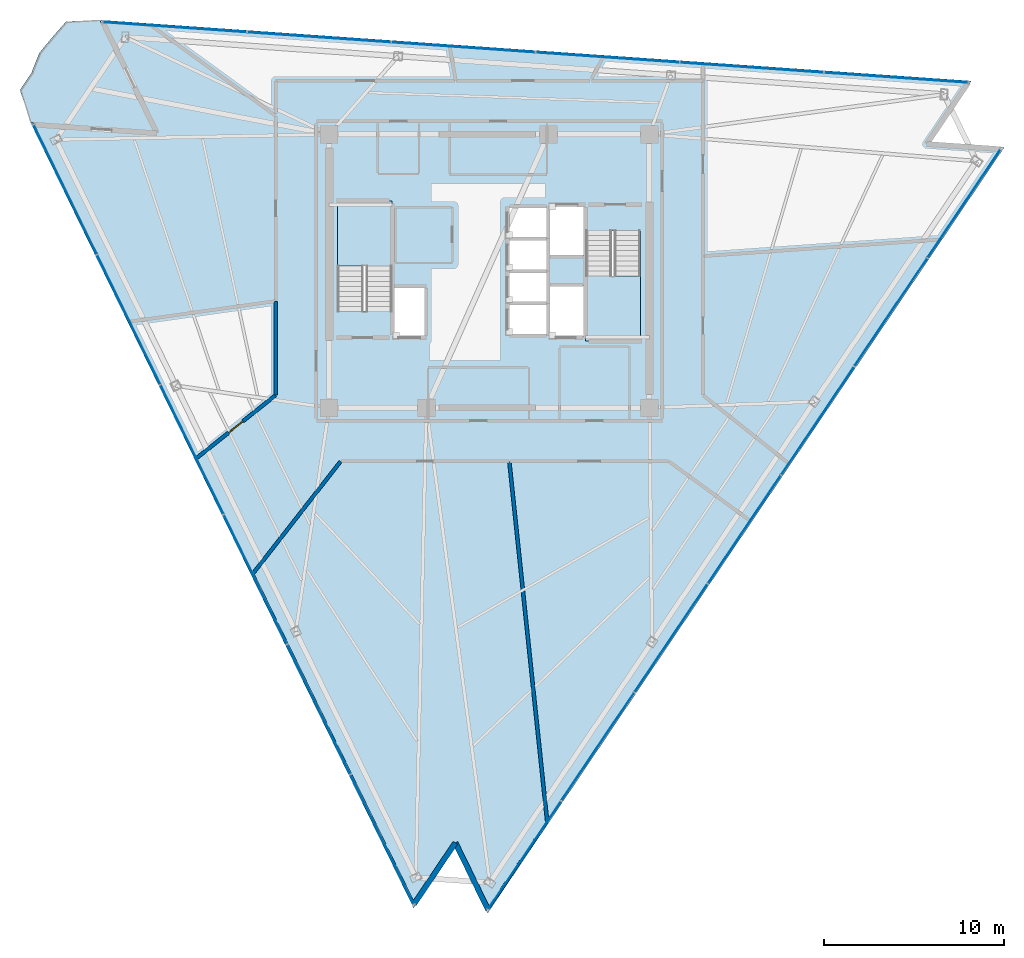
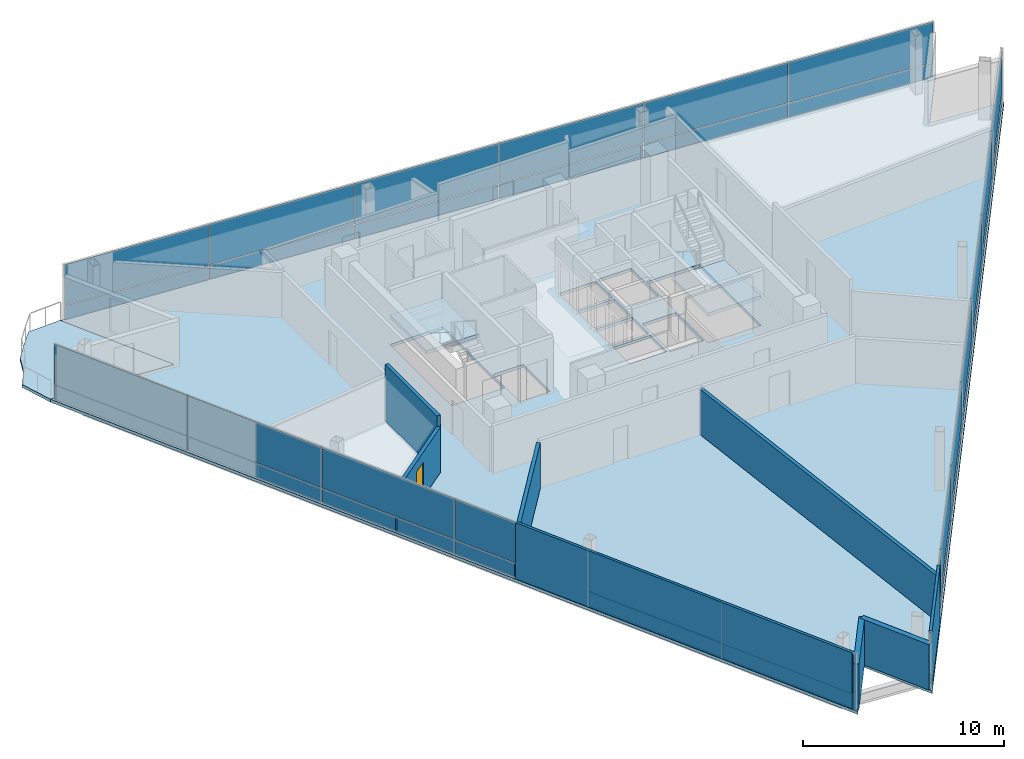
# One storey, part 8 of 14: 38 plates, 8 walls, 4 slabs, 1 door, 1 opening, 5 elements without a shape of their own.
"""IFC4 building model written with IfcOpenShell, lengths in metres."""

from ifc_helpers import new_model, si_unit, direction, frame, frame_2d, origin, origin_2d, place, context, subcontext, project, spatial, polyline, rectangle, outline, extrude, material, layer, layer_set, type_object, element, fill, aggregate, save


model = new_model("IFC4")

# Units and contexts
model_context = context("Model", 3, precision=1e-05, world=origin(), true_north=direction((0.0, 1.0)))
body_context = subcontext(model_context, "Body", "Model", "MODEL_VIEW")
ifc_project = project(units=[si_unit("LENGTHUNIT", "METRE"), si_unit("AREAUNIT", "SQUARE_METRE"), si_unit("VOLUMEUNIT", "CUBIC_METRE"), si_unit("PLANEANGLEUNIT", "RADIAN"), si_unit("MASSUNIT", "GRAM", prefix="KILO")], contexts=[model_context])

# Site, building, storey
site_placement = place(None, origin())
site = spatial("IfcSite", under=ifc_project, at=site_placement, CompositionType="ELEMENT")
building_placement = place(site_placement, origin())
building = spatial("IfcBuilding", under=site, at=building_placement, Name="Tharavind Bronze Gate", CompositionType="ELEMENT")
storey_placement = place(building_placement, frame((0.0, 0.0, 245.050048828125)))
storey = spatial("IfcBuildingStorey", under=building, at=storey_placement, Name="L63", CompositionType="ELEMENT", Elevation=245.050048828125)

# Curtain wall, plates
ifc_material_1 = material(Name="Anodised Bronze Aluminium", Category="aluminium")
ifc_layer_1 = layer(ifc_material_1, 0.219970703125)
ifc_layer_set_1 = layer_set([ifc_layer_1], Name="Anodised Bronze Aluminium")
curtain_wall_type = type_object("IfcCurtainWallType", Name="UNITISED CURTAIN WALL UPPER OFFICE", PredefinedType="USERDEFINED", material=ifc_layer_set_1)
curtain_wall_1_placement = place(storey_placement, origin())
curtain_wall_1 = element("IfcCurtainWall", 1, at=curtain_wall_1_placement, inside=storey, type_object=curtain_wall_type, Name="L63 unitised curtain wall upper office CW-L63-S1", ObjectType="UNITISED CURTAIN WALL", PredefinedType="USERDEFINED")
ifc_material_2 = material(Name="Patinated Bronze Alloy Sheet", Category="bronze")
ifc_layer_2 = layer(ifc_material_2, 0.01611328125)
ifc_layer_set_2 = layer_set([ifc_layer_2], Name="Patinated Bronze Alloy Sheet")
plate_type_1 = type_object("IfcPlateType", Name="BRONZE SPANDREL CLADDING PANEL 16", PredefinedType="CURTAIN_PANEL", material=ifc_layer_set_2)
plate_1_placement = place(storey_placement, frame((-23.5751953125, 4.5283203125, 0.0263671875), z_axis=(0.0, 0.0, 1.0), x_axis=(0.438371146789, -0.898794046299, 0.0)))
plate_1 = element("IfcPlate", 2, at=plate_1_placement, type_object=plate_type_1, Name="CW-L63-S1 bronze spandrel panel 1", PredefinedType="CURTAIN_PANEL", context=body_context, shape_type="SweptSolid", body=[
    extrude(rectangle(XDim=7.985107421875, YDim=0.01611328125, at=origin_2d()), origin(), (0.0, 0.0, 1.0), 0.846923828125),
])
plate_2_placement = place(storey_placement, frame((-20.051513671875, -2.696044921875, 0.0263671875), z_axis=(0.0, 0.0, 1.0), x_axis=(0.438371146789, -0.898794046299, 0.0)))
plate_2 = element("IfcPlate", 3, at=plate_2_placement, type_object=plate_type_1, Name="CW-L63-S1 bronze spandrel panel 2", PredefinedType="CURTAIN_PANEL", context=body_context, shape_type="SweptSolid", body=[
    extrude(rectangle(XDim=7.985107421875, YDim=0.01611328125, at=origin_2d()), origin(), (0.0, 0.0, 1.0), 0.846923828125),
])
plate_3_placement = place(storey_placement, frame((-16.528076171875, -9.920654296875, 0.0263671875), z_axis=(0.0, 0.0, 1.0), x_axis=(0.438371146789, -0.898794046299, 0.0)))
plate_3 = element("IfcPlate", 4, at=plate_3_placement, type_object=plate_type_1, Name="CW-L63-S1 bronze spandrel panel 3", PredefinedType="CURTAIN_PANEL", context=body_context, shape_type="SweptSolid", body=[
    extrude(rectangle(XDim=7.985107421875, YDim=0.01611328125, at=origin_2d()), origin(), (0.0, 0.0, 1.0), 0.846923828125),
])
plate_4_placement = place(storey_placement, frame((-13.00439453125, -17.145263671875, 0.0263671875), z_axis=(0.0, 0.0, 1.0), x_axis=(0.438371146789, -0.898794046299, 0.0)))
plate_4 = element("IfcPlate", 5, at=plate_4_placement, type_object=plate_type_1, Name="CW-L63-S1 bronze spandrel panel 4", PredefinedType="CURTAIN_PANEL", context=body_context, shape_type="SweptSolid", body=[
    extrude(rectangle(XDim=7.985107421875, YDim=0.01611328125, at=origin_2d()), origin(), (0.0, 0.0, 1.0), 0.846923828125),
])
plate_5_placement = place(storey_placement, frame((-9.480712890625, -24.36962890625, 0.0263671875), z_axis=(0.0, 0.0, 1.0), x_axis=(0.438371146789, -0.898794046299, 0.0)))
plate_5 = element("IfcPlate", 6, at=plate_5_placement, type_object=plate_type_1, Name="CW-L63-S1 bronze spandrel panel 5", PredefinedType="CURTAIN_PANEL", context=body_context, shape_type="SweptSolid", body=[
    extrude(rectangle(XDim=7.985107421875, YDim=0.01611328125, at=origin_2d()), origin(), (0.0, 0.0, 1.0), 0.846923828125),
])
plate_6_placement = place(storey_placement, frame((-5.95703125, -31.59423828125, 0.0263671875), z_axis=(0.0, 0.0, 1.0), x_axis=(0.438371146789, -0.898794046299, 0.0)))
plate_6 = element("IfcPlate", 7, at=plate_6_placement, type_object=plate_type_1, Name="CW-L63-S1 bronze spandrel panel 6", PredefinedType="CURTAIN_PANEL", context=body_context, shape_type="SweptSolid", body=[
    extrude(rectangle(XDim=7.985107421875, YDim=0.01611328125, at=origin_2d()), origin(), (0.0, 0.0, 1.0), 0.846923828125),
])

curtain_wall_2_placement = place(storey_placement, origin())
curtain_wall_2 = element("IfcCurtainWall", 8, at=curtain_wall_2_placement, inside=storey, type_object=curtain_wall_type, Name="L63 unitised curtain wall upper office CW-L63-S2", ObjectType="UNITISED CURTAIN WALL", PredefinedType="USERDEFINED")
plate_7_placement = place(storey_placement, frame((1.958984375, -32.4755859375, 0.0263671875), z_axis=(0.0, 0.0, 1.0), x_axis=(0.559192903471, 0.829037572555, 0.0)))
plate_7 = element("IfcPlate", 9, at=plate_7_placement, type_object=plate_type_1, Name="CW-L63-S2 bronze spandrel panel 1", PredefinedType="CURTAIN_PANEL", context=body_context, shape_type="SweptSolid", body=[
    extrude(rectangle(XDim=7.22998046875, YDim=0.01611328125, at=origin_2d()), origin(), (0.0, 0.0, 1.0), 0.846923828125),
])
plate_8_placement = place(storey_placement, frame((6.031494140625, -26.437744140625, 0.0263671875), z_axis=(0.0, 0.0, 1.0), x_axis=(0.559192903471, 0.829037572555, 0.0)))
plate_8 = element("IfcPlate", 10, at=plate_8_placement, type_object=plate_type_1, Name="CW-L63-S2 bronze spandrel panel 2", PredefinedType="CURTAIN_PANEL", context=body_context, shape_type="SweptSolid", body=[
    extrude(rectangle(XDim=7.22998046875, YDim=0.01611328125, at=origin_2d()), origin(), (0.0, 0.0, 1.0), 0.846923828125),
])
plate_9_placement = place(storey_placement, frame((10.10400390625, -20.39990234375, 0.0263671875), z_axis=(0.0, 0.0, 1.0), x_axis=(0.559192903471, 0.829037572555, 0.0)))
plate_9 = element("IfcPlate", 11, at=plate_9_placement, type_object=plate_type_1, Name="CW-L63-S2 bronze spandrel panel 3", PredefinedType="CURTAIN_PANEL", context=body_context, shape_type="SweptSolid", body=[
    extrude(rectangle(XDim=7.22998046875, YDim=0.01611328125, at=origin_2d()), origin(), (0.0, 0.0, 1.0), 0.846923828125),
])
plate_10_placement = place(storey_placement, frame((14.176513671875, -14.3623046875, 0.0263671875), z_axis=(0.0, 0.0, 1.0), x_axis=(0.559192903471, 0.829037572555, 0.0)))
plate_10 = element("IfcPlate", 12, at=plate_10_placement, type_object=plate_type_1, Name="CW-L63-S2 bronze spandrel panel 4", PredefinedType="CURTAIN_PANEL", context=body_context, shape_type="SweptSolid", body=[
    extrude(rectangle(XDim=7.22998046875, YDim=0.01611328125, at=origin_2d()), origin(), (0.0, 0.0, 1.0), 0.846923828125),
])
plate_11_placement = place(storey_placement, frame((18.2490234375, -8.324462890625, 0.0263671875), z_axis=(0.0, 0.0, 1.0), x_axis=(0.559192903471, 0.829037572555, 0.0)))
plate_11 = element("IfcPlate", 13, at=plate_11_placement, type_object=plate_type_1, Name="CW-L63-S2 bronze spandrel panel 5", PredefinedType="CURTAIN_PANEL", context=body_context, shape_type="SweptSolid", body=[
    extrude(rectangle(XDim=7.22998046875, YDim=0.01611328125, at=origin_2d()), origin(), (0.0, 0.0, 1.0), 0.846923828125),
])
plate_12_placement = place(storey_placement, frame((22.321533203125, -2.28662109375, 0.0263671875), z_axis=(0.0, 0.0, 1.0), x_axis=(0.559192903471, 0.829037572555, 0.0)))
plate_12 = element("IfcPlate", 14, at=plate_12_placement, type_object=plate_type_1, Name="CW-L63-S2 bronze spandrel panel 6", PredefinedType="CURTAIN_PANEL", context=body_context, shape_type="SweptSolid", body=[
    extrude(rectangle(XDim=7.22998046875, YDim=0.01611328125, at=origin_2d()), origin(), (0.0, 0.0, 1.0), 0.846923828125),
])
plate_13_placement = place(storey_placement, frame((26.39404296875, 3.751220703125, 0.0263671875), z_axis=(0.0, 0.0, 1.0), x_axis=(0.559192903471, 0.829037572555, 0.0)))
plate_13 = element("IfcPlate", 15, at=plate_13_placement, type_object=plate_type_1, Name="CW-L63-S2 bronze spandrel panel 7", PredefinedType="CURTAIN_PANEL", context=body_context, shape_type="SweptSolid", body=[
    extrude(rectangle(XDim=7.22998046875, YDim=0.01611328125, at=origin_2d()), origin(), (0.0, 0.0, 1.0), 0.846923828125),
])

curtain_wall_3_placement = place(storey_placement, origin())
curtain_wall_3 = element("IfcCurtainWall", 16, at=curtain_wall_3_placement, inside=storey, type_object=curtain_wall_type, Name="L63 unitised curtain wall upper office CW-L63-S3", ObjectType="UNITISED CURTAIN WALL", PredefinedType="USERDEFINED")
plate_14_placement = place(storey_placement, frame((22.611572265625, 10.760498046875, 0.0263671875), z_axis=(0.0, 0.0, 1.0), x_axis=(-0.99756392851, 0.069758214822, 0.0)))
plate_14 = element("IfcPlate", 17, at=plate_14_placement, type_object=plate_type_1, Name="CW-L63-S3 bronze spandrel panel 1", PredefinedType="CURTAIN_PANEL", context=body_context, shape_type="SweptSolid", body=[
    extrude(rectangle(XDim=7.985107421875, YDim=0.01611328125, at=origin_2d()), origin(), (0.0, 0.0, 1.0), 0.846923828125),
])
plate_15_placement = place(storey_placement, frame((14.593017578125, 11.3212890625, 0.0263671875), z_axis=(0.0, 0.0, 1.0), x_axis=(-0.99756392851, 0.069758214822, 0.0)))
plate_15 = element("IfcPlate", 18, at=plate_15_placement, type_object=plate_type_1, Name="CW-L63-S3 bronze spandrel panel 2", PredefinedType="CURTAIN_PANEL", context=body_context, shape_type="SweptSolid", body=[
    extrude(rectangle(XDim=7.985107421875, YDim=0.01611328125, at=origin_2d()), origin(), (0.0, 0.0, 1.0), 0.846923828125),
])
plate_16_placement = place(storey_placement, frame((6.57470703125, 11.882080078125, 0.0263671875), z_axis=(0.0, 0.0, 1.0), x_axis=(-0.99756392851, 0.069758214822, 0.0)))
plate_16 = element("IfcPlate", 19, at=plate_16_placement, type_object=plate_type_1, Name="CW-L63-S3 bronze spandrel panel 3", PredefinedType="CURTAIN_PANEL", context=body_context, shape_type="SweptSolid", body=[
    extrude(rectangle(XDim=7.985107421875, YDim=0.01611328125, at=origin_2d()), origin(), (0.0, 0.0, 1.0), 0.846923828125),
])
plate_17_placement = place(storey_placement, frame((-1.44384765625, 12.442626953125, 0.0263671875), z_axis=(0.0, 0.0, 1.0), x_axis=(-0.99756392851, 0.069758214822, 0.0)))
plate_17 = element("IfcPlate", 20, at=plate_17_placement, type_object=plate_type_1, Name="CW-L63-S3 bronze spandrel panel 4", PredefinedType="CURTAIN_PANEL", context=body_context, shape_type="SweptSolid", body=[
    extrude(rectangle(XDim=7.985107421875, YDim=0.01611328125, at=origin_2d()), origin(), (0.0, 0.0, 1.0), 0.846923828125),
])
plate_18_placement = place(storey_placement, frame((-9.462158203125, 13.00341796875, 0.0263671875), z_axis=(0.0, 0.0, 1.0), x_axis=(-0.99756392851, 0.069758214822, 0.0)))
plate_18 = element("IfcPlate", 21, at=plate_18_placement, type_object=plate_type_1, Name="CW-L63-S3 bronze spandrel panel 5", PredefinedType="CURTAIN_PANEL", context=body_context, shape_type="SweptSolid", body=[
    extrude(rectangle(XDim=7.985107421875, YDim=0.01611328125, at=origin_2d()), origin(), (0.0, 0.0, 1.0), 0.846923828125),
])
plate_19_placement = place(storey_placement, frame((-17.480712890625, 13.564208984375, 0.0263671875), z_axis=(0.0, 0.0, 1.0), x_axis=(-0.99756392851, 0.069758214822, 0.0)))
plate_19 = element("IfcPlate", 22, at=plate_19_placement, type_object=plate_type_1, Name="CW-L63-S3 bronze spandrel panel 6", PredefinedType="CURTAIN_PANEL", context=body_context, shape_type="SweptSolid", body=[
    extrude(rectangle(XDim=7.985107421875, YDim=0.01611328125, at=origin_2d()), origin(), (0.0, 0.0, 1.0), 0.846923828125),
])

# Slab
ifc_material_3 = material(Name="Concrete C40/50", Category="concrete")
ifc_layer_3 = layer(ifc_material_3, 0.179931640625)
ifc_layer_set_3 = layer_set([ifc_layer_3], Name="Concrete C40/50")
slab_type_1 = type_object("IfcSlabType", Name="EXTERIOR BALCONY SLAB 180", PredefinedType="FLOOR", material=ifc_layer_set_3)
slab_1_placement = place(storey_placement, frame((0.0, 0.0, -0.179931640625)))
element("IfcSlab", 23, at=slab_1_placement, inside=storey, type_object=slab_type_1, Name="L63 northeast tree balcony slab", PredefinedType="FLOOR", context=body_context, shape_type="SweptSolid", body=[
    extrude(outline(polyline([(-23.523193359375, 13.869873046875), (-24.287109375, 13.001953125), (-25.021484375, 12.114013671875), (-25.447021484375, 11.01806640625), (-26.088134765625, 10.0673828125), (-25.5029296875, 8.25244140625), (-18.6396484375, 7.772705078125), (-21.65576171875, 13.956298828125), (-23.523193359375, 13.869873046875)])), origin(), (0.0, 0.0, 1.0), 0.179931640625),
])

# Stair, slab
stair_type = type_object("IfcStairType", Name="CORE HALF TURN STAIR 1450", PredefinedType="HALF_TURN_STAIR", material=ifc_material_3)
stair_1_placement = place(storey_placement, origin())
stair_1 = element("IfcStair", 24, at=stair_1_placement, inside=storey, type_object=stair_type, Name="L63 Protected Exit Stair ST1", PredefinedType="HALF_TURN_STAIR")
ifc_layer_4 = layer(ifc_material_3, 0.199951171875)
ifc_layer_set_4 = layer_set([ifc_layer_4], Name="Concrete C40/50")
slab_type_2 = type_object("IfcSlabType", Name="STAIR LANDING SLAB 200", PredefinedType="LANDING", material=ifc_layer_set_4)
slab_2_placement = place(storey_placement, frame((0.0, 0.0, 1.599853515625)))
slab_2 = element("IfcSlab", 25, at=slab_2_placement, type_object=slab_type_2, Name="ST1 landing 1", PredefinedType="LANDING", context=body_context, shape_type="SweptSolid", body=[
    extrude(outline(polyline([(-5.39990234375, 0.27001953125), (-5.39990234375, 3.89990234375), (-8.449951171875, 3.89990234375), (-8.449951171875, 0.27001953125), (-5.39990234375, 0.27001953125)])), origin(), (0.0, 0.0, 1.0), 0.2001953125),
])
aggregate(stair_1, [slab_2])

stair_2_placement = place(storey_placement, origin())
stair_2 = element("IfcStair", 26, at=stair_2_placement, inside=storey, type_object=stair_type, Name="L63 Protected Exit Stair ST2", PredefinedType="HALF_TURN_STAIR")
slab_3_placement = place(storey_placement, frame((0.0, 0.0, 1.599853515625)))
slab_3 = element("IfcSlab", 27, at=slab_3_placement, type_object=slab_type_2, Name="ST2 landing 1", PredefinedType="LANDING", context=body_context, shape_type="SweptSolid", body=[
    extrude(outline(polyline([(5.35009765625, -0.27001953125), (5.35009765625, -3.89990234375), (8.39990234375, -3.89990234375), (8.39990234375, -0.27001953125), (5.35009765625, -0.27001953125)])), origin(), (0.0, 0.0, 1.0), 0.2001953125),
])
aggregate(stair_2, [slab_3])

# Slab
ifc_layer_5 = layer(ifc_material_3, 0.179931640625)
ifc_layer_set_5 = layer_set([ifc_layer_5], Name="Concrete C40/50")
slab_type_3 = type_object("IfcSlabType", Name="STRUCTURAL FLOOR SLAB 180", PredefinedType="FLOOR", material=ifc_layer_set_5)
slab_4_placement = place(storey_placement, frame((0.0, 0.0, -0.179931640625)))
element("IfcSlab", 28, at=slab_4_placement, inside=storey, type_object=slab_type_3, Name="L63 main structural floor slab", PredefinedType="FLOOR", context=body_context, shape_type="SweptSolid", body=[
    extrude(outline(polyline([(-21.65576171875, 13.956298828125), (-18.6396484375, 7.772705078125), (-25.5029296875, 8.25244140625), (-4.209228515625, -35.406005859375), (-1.90087890625, -31.983642578125), (-0.09130859375, -35.69384765625), (28.610107421875, 6.857666015625), (24.4921875, 7.145751953125), (26.800537109375, 10.56787109375), (-21.65576171875, 13.956298828125)]), holes=[polyline([(-5.39990234375, -2.215087890625), (-5.39990234375, 3.89990234375), (-8.449951171875, 3.89990234375), (-8.449951171875, -2.215087890625), (-5.39990234375, -2.215087890625)]), polyline([(5.35009765625, 2.215087890625), (5.35009765625, -3.89990234375), (8.39990234375, -3.89990234375), (8.39990234375, 2.215087890625), (5.35009765625, 2.215087890625)]), polyline([(1.080078125, -3.52001953125), (3.199951171875, -3.52001953125), (3.199951171875, -1.8798828125), (1.080078125, -1.8798828125), (1.080078125, -3.52001953125)]), polyline([(1.080078125, -1.719970703125), (3.199951171875, -1.719970703125), (3.199951171875, -0.080078125), (1.080078125, -0.080078125), (1.080078125, -1.719970703125)]), polyline([(1.080078125, 0.080078125), (3.199951171875, 0.080078125), (3.199951171875, 1.719970703125), (1.080078125, 1.719970703125), (1.080078125, 0.080078125)]), polyline([(1.080078125, 1.8798828125), (3.199951171875, 1.8798828125), (3.199951171875, 3.52001953125), (1.080078125, 3.52001953125), (1.080078125, 1.8798828125)]), polyline([(-5.320068359375, -3.6201171875), (-3.580078125, -3.6201171875), (-3.580078125, -0.929931640625), (-5.320068359375, -0.929931640625), (-5.320068359375, -3.6201171875)]), polyline([(3.360107421875, 0.8798828125), (5.27001953125, 0.8798828125), (5.27001953125, 3.6201171875), (3.360107421875, 3.6201171875), (3.360107421875, 0.8798828125)]), polyline([(3.360107421875, -3.6201171875), (5.27001953125, -3.6201171875), (5.27001953125, -0.830078125), (3.360107421875, -0.830078125), (3.360107421875, -3.6201171875)])]), origin(), (0.0, 0.0, 1.0), 0.179931640625),
])

# Plate
ifc_material_4 = material(Name="Triple Solar Control Glazing", Category="glass")
ifc_layer_6 = layer(ifc_material_4, 0.0439453125)
ifc_layer_set_6 = layer_set([ifc_layer_6], Name="Triple Solar Control Glazing")
plate_type_2 = type_object("IfcPlateType", Name="TRIPLE GLAZED FACADE PANEL 44", PredefinedType="CURTAIN_PANEL", material=ifc_layer_set_6)
plate_20_placement = place(storey_placement, frame((-23.5751953125, 4.5283203125, 0.92626953125), z_axis=(0.0, 0.0, 1.0), x_axis=(0.438371146789, -0.898794046299, 0.0)))
plate_20 = element("IfcPlate", 29, at=plate_20_placement, type_object=plate_type_2, Name="CW-L63-S1 vision glazing panel 1", PredefinedType="CURTAIN_PANEL", context=body_context, shape_type="SweptSolid", body=[
    extrude(rectangle(XDim=7.985107421875, YDim=0.0439453125, at=origin_2d()), origin(), (0.0, 0.0, 1.0), 2.467041015625),
])

plate_21_placement = place(storey_placement, frame((-20.051513671875, -2.696044921875, 0.92626953125), z_axis=(0.0, 0.0, 1.0), x_axis=(0.438371146789, -0.898794046299, 0.0)))
plate_21 = element("IfcPlate", 30, at=plate_21_placement, type_object=plate_type_2, Name="CW-L63-S1 vision glazing panel 2", PredefinedType="CURTAIN_PANEL", context=body_context, shape_type="SweptSolid", body=[
    extrude(rectangle(XDim=7.985107421875, YDim=0.0439453125, at=origin_2d()), origin(), (0.0, 0.0, 1.0), 2.467041015625),
])

plate_22_placement = place(storey_placement, frame((-16.528076171875, -9.920654296875, 0.92626953125), z_axis=(0.0, 0.0, 1.0), x_axis=(0.438371146789, -0.898794046299, 0.0)))
plate_22 = element("IfcPlate", 31, at=plate_22_placement, type_object=plate_type_2, Name="CW-L63-S1 vision glazing panel 3", PredefinedType="CURTAIN_PANEL", context=body_context, shape_type="SweptSolid", body=[
    extrude(rectangle(XDim=7.985107421875, YDim=0.0439453125, at=origin_2d()), origin(), (0.0, 0.0, 1.0), 2.467041015625),
])

plate_23_placement = place(storey_placement, frame((-13.00439453125, -17.145263671875, 0.92626953125), z_axis=(0.0, 0.0, 1.0), x_axis=(0.438371146789, -0.898794046299, 0.0)))
plate_23 = element("IfcPlate", 32, at=plate_23_placement, type_object=plate_type_2, Name="CW-L63-S1 vision glazing panel 4", PredefinedType="CURTAIN_PANEL", context=body_context, shape_type="SweptSolid", body=[
    extrude(rectangle(XDim=7.985107421875, YDim=0.0439453125, at=origin_2d()), origin(), (0.0, 0.0, 1.0), 2.467041015625),
])

plate_24_placement = place(storey_placement, frame((-9.480712890625, -24.36962890625, 0.92626953125), z_axis=(0.0, 0.0, 1.0), x_axis=(0.438371146789, -0.898794046299, 0.0)))
plate_24 = element("IfcPlate", 33, at=plate_24_placement, type_object=plate_type_2, Name="CW-L63-S1 vision glazing panel 5", PredefinedType="CURTAIN_PANEL", context=body_context, shape_type="SweptSolid", body=[
    extrude(rectangle(XDim=7.985107421875, YDim=0.0439453125, at=origin_2d()), origin(), (0.0, 0.0, 1.0), 2.467041015625),
])

plate_25_placement = place(storey_placement, frame((-5.95703125, -31.59423828125, 0.92626953125), z_axis=(0.0, 0.0, 1.0), x_axis=(0.438371146789, -0.898794046299, 0.0)))
plate_25 = element("IfcPlate", 34, at=plate_25_placement, type_object=plate_type_2, Name="CW-L63-S1 vision glazing panel 6", PredefinedType="CURTAIN_PANEL", context=body_context, shape_type="SweptSolid", body=[
    extrude(rectangle(XDim=7.985107421875, YDim=0.0439453125, at=origin_2d()), origin(), (0.0, 0.0, 1.0), 2.467041015625),
])

aggregate(curtain_wall_1, [plate_1, plate_20, plate_2, plate_21, plate_3, plate_22, plate_4, plate_23, plate_5, plate_24, plate_6, plate_25])

plate_26_placement = place(storey_placement, frame((1.958984375, -32.4755859375, 0.92626953125), z_axis=(0.0, 0.0, 1.0), x_axis=(0.559192903471, 0.829037572555, 0.0)))
plate_26 = element("IfcPlate", 35, at=plate_26_placement, type_object=plate_type_2, Name="CW-L63-S2 vision glazing panel 1", PredefinedType="CURTAIN_PANEL", context=body_context, shape_type="SweptSolid", body=[
    extrude(rectangle(XDim=7.22998046875, YDim=0.0439453125, at=origin_2d()), origin(), (0.0, 0.0, 1.0), 2.467041015625),
])

plate_27_placement = place(storey_placement, frame((6.031494140625, -26.437744140625, 0.92626953125), z_axis=(0.0, 0.0, 1.0), x_axis=(0.559192903471, 0.829037572555, 0.0)))
plate_27 = element("IfcPlate", 36, at=plate_27_placement, type_object=plate_type_2, Name="CW-L63-S2 vision glazing panel 2", PredefinedType="CURTAIN_PANEL", context=body_context, shape_type="SweptSolid", body=[
    extrude(rectangle(XDim=7.22998046875, YDim=0.0439453125, at=origin_2d()), origin(), (0.0, 0.0, 1.0), 2.467041015625),
])

plate_28_placement = place(storey_placement, frame((10.10400390625, -20.39990234375, 0.92626953125), z_axis=(0.0, 0.0, 1.0), x_axis=(0.559192903471, 0.829037572555, 0.0)))
plate_28 = element("IfcPlate", 37, at=plate_28_placement, type_object=plate_type_2, Name="CW-L63-S2 vision glazing panel 3", PredefinedType="CURTAIN_PANEL", context=body_context, shape_type="SweptSolid", body=[
    extrude(rectangle(XDim=7.22998046875, YDim=0.0439453125, at=origin_2d()), origin(), (0.0, 0.0, 1.0), 2.467041015625),
])

plate_29_placement = place(storey_placement, frame((14.176513671875, -14.3623046875, 0.92626953125), z_axis=(0.0, 0.0, 1.0), x_axis=(0.559192903471, 0.829037572555, 0.0)))
plate_29 = element("IfcPlate", 38, at=plate_29_placement, type_object=plate_type_2, Name="CW-L63-S2 vision glazing panel 4", PredefinedType="CURTAIN_PANEL", context=body_context, shape_type="SweptSolid", body=[
    extrude(rectangle(XDim=7.22998046875, YDim=0.0439453125, at=origin_2d()), origin(), (0.0, 0.0, 1.0), 2.467041015625),
])

plate_30_placement = place(storey_placement, frame((18.2490234375, -8.324462890625, 0.92626953125), z_axis=(0.0, 0.0, 1.0), x_axis=(0.559192903471, 0.829037572555, 0.0)))
plate_30 = element("IfcPlate", 39, at=plate_30_placement, type_object=plate_type_2, Name="CW-L63-S2 vision glazing panel 5", PredefinedType="CURTAIN_PANEL", context=body_context, shape_type="SweptSolid", body=[
    extrude(rectangle(XDim=7.22998046875, YDim=0.0439453125, at=origin_2d()), origin(), (0.0, 0.0, 1.0), 2.467041015625),
])

plate_31_placement = place(storey_placement, frame((22.321533203125, -2.28662109375, 0.92626953125), z_axis=(0.0, 0.0, 1.0), x_axis=(0.559192903471, 0.829037572555, 0.0)))
plate_31 = element("IfcPlate", 40, at=plate_31_placement, type_object=plate_type_2, Name="CW-L63-S2 vision glazing panel 6", PredefinedType="CURTAIN_PANEL", context=body_context, shape_type="SweptSolid", body=[
    extrude(rectangle(XDim=7.22998046875, YDim=0.0439453125, at=origin_2d()), origin(), (0.0, 0.0, 1.0), 2.467041015625),
])

plate_32_placement = place(storey_placement, frame((26.39404296875, 3.751220703125, 0.92626953125), z_axis=(0.0, 0.0, 1.0), x_axis=(0.559192903471, 0.829037572555, 0.0)))
plate_32 = element("IfcPlate", 41, at=plate_32_placement, type_object=plate_type_2, Name="CW-L63-S2 vision glazing panel 7", PredefinedType="CURTAIN_PANEL", context=body_context, shape_type="SweptSolid", body=[
    extrude(rectangle(XDim=7.22998046875, YDim=0.0439453125, at=origin_2d()), origin(), (0.0, 0.0, 1.0), 2.467041015625),
])

aggregate(curtain_wall_2, [plate_7, plate_26, plate_8, plate_27, plate_9, plate_28, plate_10, plate_29, plate_11, plate_30, plate_12, plate_31, plate_13, plate_32])

plate_33_placement = place(storey_placement, frame((22.611572265625, 10.760498046875, 0.92626953125), z_axis=(0.0, 0.0, 1.0), x_axis=(-0.99756392851, 0.069758214822, 0.0)))
plate_33 = element("IfcPlate", 42, at=plate_33_placement, type_object=plate_type_2, Name="CW-L63-S3 vision glazing panel 1", PredefinedType="CURTAIN_PANEL", context=body_context, shape_type="SweptSolid", body=[
    extrude(rectangle(XDim=7.985107421875, YDim=0.0439453125, at=origin_2d()), origin(), (0.0, 0.0, 1.0), 2.467041015625),
])

plate_34_placement = place(storey_placement, frame((14.593017578125, 11.3212890625, 0.92626953125), z_axis=(0.0, 0.0, 1.0), x_axis=(-0.99756392851, 0.069758214822, 0.0)))
plate_34 = element("IfcPlate", 43, at=plate_34_placement, type_object=plate_type_2, Name="CW-L63-S3 vision glazing panel 2", PredefinedType="CURTAIN_PANEL", context=body_context, shape_type="SweptSolid", body=[
    extrude(rectangle(XDim=7.985107421875, YDim=0.0439453125, at=origin_2d()), origin(), (0.0, 0.0, 1.0), 2.467041015625),
])

plate_35_placement = place(storey_placement, frame((6.57470703125, 11.882080078125, 0.92626953125), z_axis=(0.0, 0.0, 1.0), x_axis=(-0.99756392851, 0.069758214822, 0.0)))
plate_35 = element("IfcPlate", 44, at=plate_35_placement, type_object=plate_type_2, Name="CW-L63-S3 vision glazing panel 3", PredefinedType="CURTAIN_PANEL", context=body_context, shape_type="SweptSolid", body=[
    extrude(rectangle(XDim=7.985107421875, YDim=0.0439453125, at=origin_2d()), origin(), (0.0, 0.0, 1.0), 2.467041015625),
])

plate_36_placement = place(storey_placement, frame((-1.44384765625, 12.442626953125, 0.92626953125), z_axis=(0.0, 0.0, 1.0), x_axis=(-0.99756392851, 0.069758214822, 0.0)))
plate_36 = element("IfcPlate", 45, at=plate_36_placement, type_object=plate_type_2, Name="CW-L63-S3 vision glazing panel 4", PredefinedType="CURTAIN_PANEL", context=body_context, shape_type="SweptSolid", body=[
    extrude(rectangle(XDim=7.985107421875, YDim=0.0439453125, at=origin_2d()), origin(), (0.0, 0.0, 1.0), 2.467041015625),
])

plate_37_placement = place(storey_placement, frame((-9.462158203125, 13.00341796875, 0.92626953125), z_axis=(0.0, 0.0, 1.0), x_axis=(-0.99756392851, 0.069758214822, 0.0)))
plate_37 = element("IfcPlate", 46, at=plate_37_placement, type_object=plate_type_2, Name="CW-L63-S3 vision glazing panel 5", PredefinedType="CURTAIN_PANEL", context=body_context, shape_type="SweptSolid", body=[
    extrude(rectangle(XDim=7.985107421875, YDim=0.0439453125, at=origin_2d()), origin(), (0.0, 0.0, 1.0), 2.467041015625),
])

plate_38_placement = place(storey_placement, frame((-17.480712890625, 13.564208984375, 0.92626953125), z_axis=(0.0, 0.0, 1.0), x_axis=(-0.99756392851, 0.069758214822, 0.0)))
plate_38 = element("IfcPlate", 47, at=plate_38_placement, type_object=plate_type_2, Name="CW-L63-S3 vision glazing panel 6", PredefinedType="CURTAIN_PANEL", context=body_context, shape_type="SweptSolid", body=[
    extrude(rectangle(XDim=7.985107421875, YDim=0.0439453125, at=origin_2d()), origin(), (0.0, 0.0, 1.0), 2.467041015625),
])

aggregate(curtain_wall_3, [plate_14, plate_33, plate_15, plate_34, plate_16, plate_35, plate_17, plate_36, plate_18, plate_37, plate_19, plate_38])

# Walls
ifc_layer_7 = layer(ifc_material_3, 0.300048828125)
ifc_layer_set_7 = layer_set([ifc_layer_7], Name="Concrete C40/50")
wall_type_1 = type_object("IfcWallType", Name="EXTERIOR SPANDREL WALL 300", PredefinedType="STANDARD", material=ifc_layer_set_7)
wall_1_placement = place(storey_placement, frame((-4.1953125, -35.20654296875, 0.0), z_axis=(0.0, 0.0, 1.0), x_axis=(0.559182319101, 0.829044711704, 0.0)))
element("IfcWall", 48, at=wall_1_placement, inside=storey, type_object=wall_type_1, Name="L63 notch cheek wall 2A", PredefinedType="STANDARD", context=body_context, shape_type="SweptSolid", body=[
    extrude(rectangle(XDim=4.128173828125, YDim=0.300048828125, at=frame_2d((2.06396484375, 0.0))), origin(), (0.0, 0.0, 1.0), 2.764892578125),
])
wall_2_placement = place(storey_placement, frame((-1.886962890625, -31.7841796875, 0.0), z_axis=(0.0, 0.0, 1.0), x_axis=(0.438367699713, -0.898795727542, 0.0)))
element("IfcWall", 49, at=wall_2_placement, inside=storey, type_object=wall_type_1, Name="L63 notch cheek wall 2B", PredefinedType="STANDARD", context=body_context, shape_type="SweptSolid", body=[
    extrude(rectangle(XDim=4.1279296875, YDim=0.300048828125, at=frame_2d((2.06396484375, 0.0))), origin(), (0.0, 0.0, 1.0), 2.764892578125),
])
ifc_material_5 = material(Name="Aerated Concrete Block", Category="concrete")
ifc_layer_8 = layer(ifc_material_5, 0.199951171875)
ifc_layer_set_8 = layer_set([ifc_layer_8], Name="Aerated Concrete Block")
wall_type_2 = type_object("IfcWallType", Name="FIRE RATED PARTITION 200", PredefinedType="PARTITIONING", material=ifc_layer_set_8)
wall_3_placement = place(storey_placement, frame((-13.14501953125, -16.82470703125, 0.0), z_axis=(0.0, 0.0, 1.0), x_axis=(0.615675775654, 0.787999580757, 0.0)))
element("IfcWall", 50, at=wall_3_placement, inside=storey, type_object=wall_type_2, Name="L63 Public Restrooms Block partition", PredefinedType="PARTITIONING", context=body_context, shape_type="SweptSolid", body=[
    extrude(rectangle(XDim=7.91259765625, YDim=0.199951171875, at=frame_2d((3.956298828125, 0.0))), origin(), (0.0, 0.0, 1.0), 2.764892578125),
])
wall_4_placement = place(storey_placement, frame((1.114501953125, -10.602294921875, 0.0), z_axis=(0.0, 0.0, 1.0), x_axis=(0.104521097019, -0.994522669565, 0.0)))
element("IfcWall", 51, at=wall_4_placement, inside=storey, type_object=wall_type_2, Name="L63 Public Restrooms Block partition", PredefinedType="PARTITIONING", context=body_context, shape_type="SweptSolid", body=[
    extrude(rectangle(XDim=20.10888671875, YDim=0.199951171875, at=frame_2d((10.054443359375, 0.0))), origin(), (0.0, 0.0, 1.0), 2.764892578125),
])
wall_5_placement = place(storey_placement, frame((-11.8798828125, -1.698486328125, 0.0), z_axis=(0.0, 0.0, 1.0), x_axis=(0.0, -1.0, 0.0)))
element("IfcWall", 52, at=wall_5_placement, inside=storey, type_object=wall_type_2, Name="L63 Portfolio Trading Office partition", PredefinedType="PARTITIONING", context=body_context, shape_type="SweptSolid", body=[
    extrude(rectangle(XDim=5.19287109375, YDim=0.199951171875, at=frame_2d((2.596435546875, 0.0))), origin(), (0.0, 0.0, 1.0), 3.419921875),
])

# Wall, opening, door
wall_6_placement = place(storey_placement, frame((-11.889404296875, -6.910888671875, 0.0), z_axis=(0.0, 0.0, 1.0), x_axis=(-0.782362036509, -0.622823926828, 0.0)))
wall_6 = element("IfcWall", 53, at=wall_6_placement, inside=storey, type_object=wall_type_2, Name="L63 Portfolio Trading Office partition", PredefinedType="PARTITIONING", context=body_context, shape_type="SweptSolid", body=[
    extrude(rectangle(XDim=5.622314453125, YDim=0.199951171875, at=frame_2d((2.81103515625, 0.0))), origin(), (0.0, 0.0, 1.0), 2.764892578125),
])
opening_placement = place(wall_6_placement, frame((2.31103515625, 0.0, 0.0)))
opening = element("IfcOpeningElement", 54, at=opening_placement, cuts=wall_6, Name="Opening ID04", PredefinedType="OPENING", context=body_context, shape_type="SweptSolid", body=[
    extrude(rectangle(XDim=1.0, YDim=2.14990234375, at=frame_2d((0.5, 1.074951171875))), frame((0.0, 0.11009765625, 0.0), z_axis=(0.0, -1.0, 0.0), x_axis=(1.0, 0.0, 0.0)), (0.0, 0.0, 1.0), 0.219951171875),
])
ifc_material_6 = material(Name="Bronze Framed Acoustic Timber", Category="wood")
door_type = type_object("IfcDoorType", Name="OFFICE TENANCY DOOR 1000X2150", OperationType="SINGLE_SWING_RIGHT", PredefinedType="DOOR", material=ifc_material_6)
door_placement = place(opening_placement, origin())
door = element("IfcDoor", 55, at=door_placement, inside=storey, type_object=door_type, Name="L63 Portfolio Trading Office door", OperationType="SINGLE_SWING_RIGHT", OverallHeight=2.14990234375, OverallWidth=1.0, PredefinedType="DOOR", context=body_context, shape_type="SweptSolid", body=[
    extrude(rectangle(XDim=1.0, YDim=2.14990234375, at=frame_2d((0.5, 1.074951171875))), frame((0.0, 0.02490234375, 0.0), z_axis=(0.0, -1.0, 0.0), x_axis=(1.0, 0.0, 0.0)), (0.0, 0.0, 1.0), 0.050048828125),
])
fill(opening, door)

# Walls
ifc_material_7 = material(Name="Twin Stud Acoustic Gypsum", Category="gypsum")
ifc_layer_9 = layer(ifc_material_7, 0.14990234375)
ifc_layer_set_9 = layer_set([ifc_layer_9], Name="Twin Stud Acoustic Gypsum")
wall_type_3 = type_object("IfcWallType", Name="INTERIOR PARTITION WALL 150", PredefinedType="PARTITIONING", material=ifc_layer_set_9)
wall_7_placement = place(storey_placement, frame((-4.273681640625, -35.045654296875, 0.0), z_axis=(0.0, 0.0, 1.0), x_axis=(-0.438373256784, 0.898793017183, 0.0)))
element("IfcWall", 56, at=wall_7_placement, inside=storey, type_object=wall_type_3, Name="L63 Public Restrooms Block partition", PredefinedType="PARTITIONING", context=body_context, shape_type="SweptSolid", body=[
    extrude(rectangle(XDim=20.2431640625, YDim=0.14990234375, at=frame_2d((10.12158203125, 0.0))), origin(), (0.0, 0.0, 1.0), 3.419921875),
])
wall_8_placement = place(storey_placement, frame((3.212158203125, -30.61767578125, 0.0), z_axis=(0.0, 0.0, 1.0), x_axis=(-0.559216250121, -0.829021824563, 0.0)))
element("IfcWall", 57, at=wall_8_placement, inside=storey, type_object=wall_type_3, Name="L63 Public Restrooms Block partition", PredefinedType="PARTITIONING", context=body_context, shape_type="SweptSolid", body=[
    extrude(rectangle(XDim=5.703369140625, YDim=0.14990234375, at=frame_2d((2.8515625, 0.0))), origin(), (0.0, 0.0, 1.0), 3.419921875),
])

save(model, "model.ifc")
